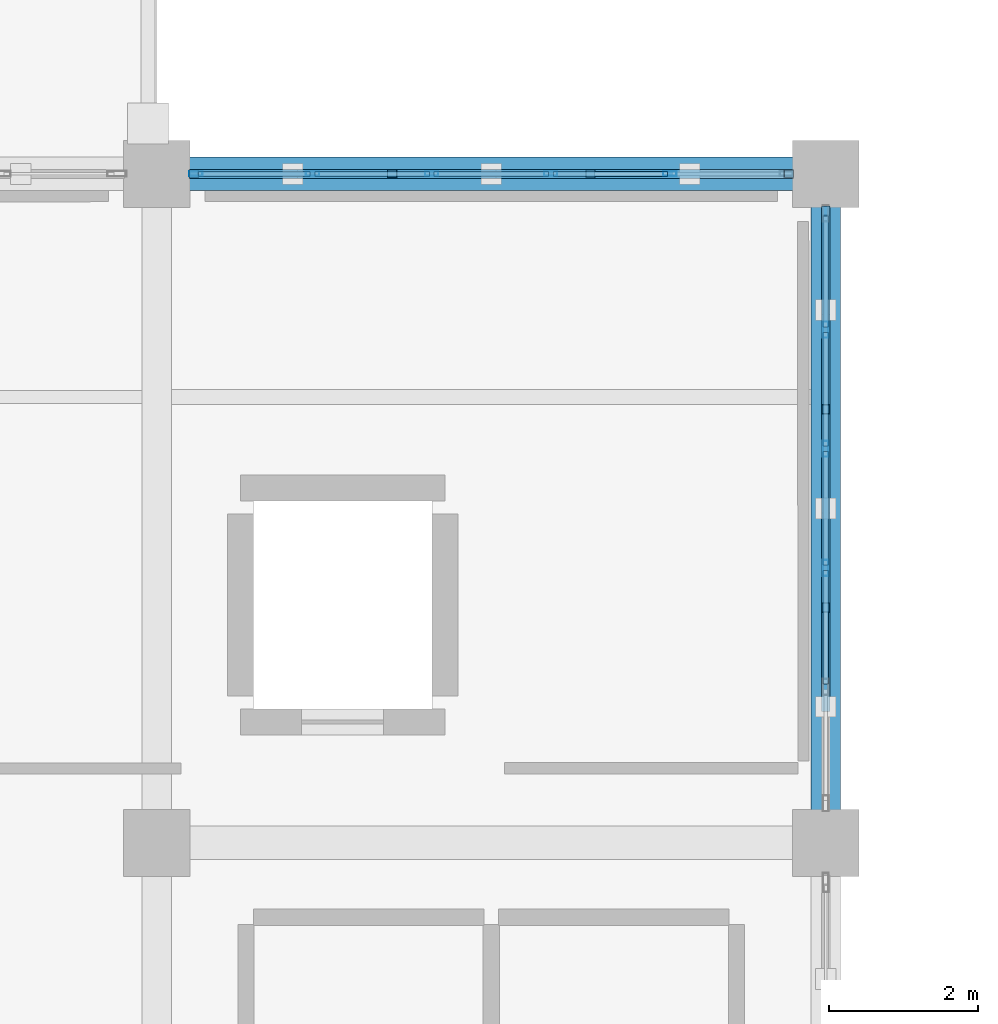
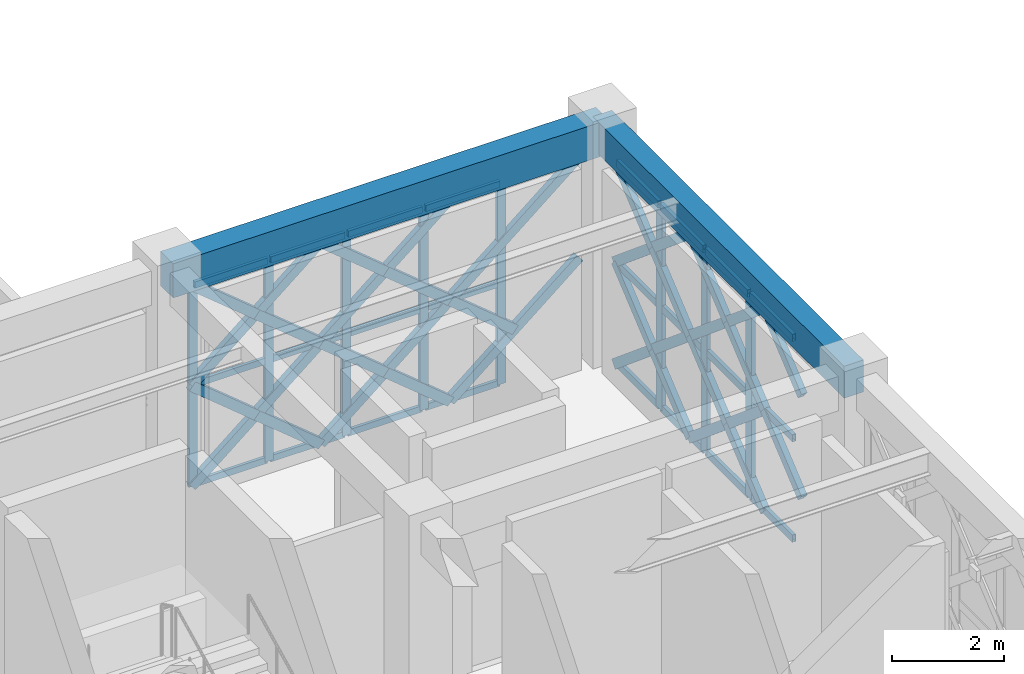
# One storey, part 101 of 155: 61 members, 2 beams, 2 elements without a shape of their own.
"""IFC4 building model written with IfcOpenShell, lengths in metres."""

from ifc_helpers import new_model, si_unit, direction, frame, origin, origin_2d, place, context, subcontext, project, spatial, rectangle, hollow_rectangle, extrude, material, material_profile, profile_set, type_object, element, aggregate, save


model = new_model("IFC4")

# Units and contexts
model_context = context("Model", 3, precision=1e-05, world=origin(), true_north=direction((0.0, 1.0)))
body_context = subcontext(model_context, "Body", "Model", "MODEL_VIEW")
ifc_project = project(units=[si_unit("LENGTHUNIT", "METRE"), si_unit("AREAUNIT", "SQUARE_METRE"), si_unit("VOLUMEUNIT", "CUBIC_METRE"), si_unit("PLANEANGLEUNIT", "RADIAN"), si_unit("MASSUNIT", "GRAM", prefix="KILO")], contexts=[model_context])

# Site, building, storey
site_placement = place(None, origin())
site = spatial("IfcSite", under=ifc_project, at=site_placement, CompositionType="ELEMENT")
building_placement = place(site_placement, origin())
building = spatial("IfcBuilding", under=site, at=building_placement, Name="Haizhuo Lancet Aquarium", CompositionType="ELEMENT")
storey_placement = place(building_placement, frame((0.0, 0.0, 10.800048828125)))
storey = spatial("IfcBuildingStorey", under=building, at=storey_placement, Name="L02", CompositionType="ELEMENT", Elevation=10.800048828125)

# Beams
ifc_material_1 = material(Name="Concrete C40/50", Category="concrete")
ifc_material_profile_1 = material_profile(ifc_material_1, rectangle(XDim=0.39990234375, YDim=0.699951171875, at=origin_2d()), Name="RC-BM 400x700")
ifc_profile_set_1 = profile_set([ifc_material_profile_1], Name="Concrete C40/50")
beam_type_1 = type_object("IfcBeamType", Name="BM-RC-400x700", PredefinedType="BEAM", material=ifc_profile_set_1)
beam_1_placement = place(storey_placement, frame((72.0, -18.0, 4.81005859375), z_axis=(0.0, 1.0, 0.0), x_axis=(-1.0, 0.0, 0.0)))
element("IfcBeam", 1, at=beam_1_placement, inside=storey, type_object=beam_type_1, Name="L02 V3 primary girder BM-L02-V3-028", PredefinedType="BEAM", context=body_context, shape_type="SweptSolid", body=[
    extrude(rectangle(XDim=0.39990234375, YDim=0.699951171875, at=origin_2d()), origin(), (0.0, 0.0, 1.0), 9.0),
])
ifc_material_profile_2 = material_profile(ifc_material_1, rectangle(XDim=0.449951171875, YDim=0.75, at=origin_2d()), Name="RC-BM 450x750")
ifc_profile_set_2 = profile_set([ifc_material_profile_2], Name="Concrete C40/50")
beam_type_2 = type_object("IfcBeamType", Name="BM-RC-450x750", PredefinedType="BEAM", material=ifc_profile_set_2)
beam_2_placement = place(storey_placement, frame((63.0, -9.0, 4.784912109375), z_axis=(1.0, 0.0, 0.0), x_axis=(0.0, 1.0, 0.0)))
element("IfcBeam", 2, at=beam_2_placement, inside=storey, type_object=beam_type_2, Name="L02 V3 primary girder BM-L02-V3-026", PredefinedType="BEAM", context=body_context, shape_type="SweptSolid", body=[
    extrude(rectangle(XDim=0.449951171875, YDim=0.75, at=origin_2d()), origin(), (0.0, 0.0, 1.0), 9.0),
])

# Curtain wall, members
ifc_material_2 = material(Name="Aluminium 6063-T6", Category="aluminium")
curtain_wall_type_1 = type_object("IfcCurtainWallType", Name="CWO-8010x4410", PredefinedType="NOTDEFINED", material=ifc_material_2)
curtain_wall_1_placement = place(storey_placement, origin())
curtain_wall_1 = element("IfcCurtainWall", 3, at=curtain_wall_1_placement, inside=storey, type_object=curtain_wall_type_1, Name="L02 curtain wall CW-V3-L02-055", PredefinedType="NOTDEFINED")
ifc_material_profile_3 = material_profile(ifc_material_2, hollow_rectangle(XDim=0.06494140625, YDim=0.179931640625, WallThickness=0.00390625, at=origin_2d()), Name="ALU-M 65x180x4")
ifc_profile_set_3 = profile_set([ifc_material_profile_3], Name="Aluminium 6063-T6")
member_type_1 = type_object("IfcMemberType", Name="CW-MUL-1", PredefinedType="MULLION", material=ifc_profile_set_3)
member_1_placement = place(storey_placement, frame((63.527099609375, -9.0, 0.0), z_axis=(0.0, 0.0, 1.0), x_axis=(0.0, 1.0, 0.0)))
member_1 = element("IfcMember", 4, at=member_1_placement, type_object=member_type_1, Name="CWO-80x44 mullion 1", PredefinedType="MULLION", context=body_context, shape_type="SweptSolid", body=[
    extrude(hollow_rectangle(XDim=0.06494140625, YDim=0.179931640625, WallThickness=0.00390625, at=origin_2d()), origin(), (0.0, 0.0, 1.0), 4.409912109375),
])
member_2_placement = place(storey_placement, frame((65.096923828125, -9.0, 0.0), z_axis=(0.0, 0.0, 1.0), x_axis=(0.0, 1.0, 0.0)))
member_2 = element("IfcMember", 5, at=member_2_placement, type_object=member_type_1, Name="CWO-80x44 mullion 2", PredefinedType="MULLION", context=body_context, shape_type="SweptSolid", body=[
    extrude(hollow_rectangle(XDim=0.06494140625, YDim=0.179931640625, WallThickness=0.00390625, at=origin_2d()), origin(), (0.0, 0.0, 1.0), 4.409912109375),
])
member_3_placement = place(storey_placement, frame((66.698974609375, -9.0, 0.0), z_axis=(0.0, 0.0, 1.0), x_axis=(0.0, 1.0, 0.0)))
member_3 = element("IfcMember", 6, at=member_3_placement, type_object=member_type_1, Name="CWO-80x44 mullion 3", PredefinedType="MULLION", context=body_context, shape_type="SweptSolid", body=[
    extrude(hollow_rectangle(XDim=0.06494140625, YDim=0.179931640625, WallThickness=0.00390625, at=origin_2d()), origin(), (0.0, 0.0, 1.0), 4.409912109375),
])
member_4_placement = place(storey_placement, frame((68.301025390625, -9.0, 0.0), z_axis=(0.0, 0.0, 1.0), x_axis=(0.0, 1.0, 0.0)))
member_4 = element("IfcMember", 7, at=member_4_placement, type_object=member_type_1, Name="CWO-80x44 mullion 4", PredefinedType="MULLION", context=body_context, shape_type="SweptSolid", body=[
    extrude(hollow_rectangle(XDim=0.06494140625, YDim=0.179931640625, WallThickness=0.00390625, at=origin_2d()), origin(), (0.0, 0.0, 1.0), 4.409912109375),
])
member_5_placement = place(storey_placement, frame((69.903076171875, -9.0, 0.0), z_axis=(0.0, 0.0, 1.0), x_axis=(0.0, 1.0, 0.0)))
member_5 = element("IfcMember", 8, at=member_5_placement, type_object=member_type_1, Name="CWO-80x44 mullion 5", PredefinedType="MULLION", context=body_context, shape_type="SweptSolid", body=[
    extrude(hollow_rectangle(XDim=0.06494140625, YDim=0.179931640625, WallThickness=0.00390625, at=origin_2d()), origin(), (0.0, 0.0, 1.0), 4.409912109375),
])

curtain_wall_type_2 = type_object("IfcCurtainWallType", Name="CWO-8010x4460", PredefinedType="NOTDEFINED", material=ifc_material_2)
curtain_wall_2_placement = place(storey_placement, origin())
curtain_wall_2 = element("IfcCurtainWall", 9, at=curtain_wall_2_placement, inside=storey, type_object=curtain_wall_type_2, Name="L02 curtain wall CW-V3-L02-056", PredefinedType="NOTDEFINED")
ifc_material_profile_4 = material_profile(ifc_material_2, hollow_rectangle(XDim=0.074951171875, YDim=0.219970703125, WallThickness=0.0048828125, at=origin_2d()), Name="ALU-M 75x220x5")
ifc_profile_set_4 = profile_set([ifc_material_profile_4], Name="Aluminium 6063-T6")
member_type_2 = type_object("IfcMemberType", Name="CW-MUL-2", PredefinedType="MULLION", material=ifc_profile_set_4)
member_6_placement = place(storey_placement, frame((72.0, -11.096923828125, 0.0), z_axis=(0.0, 0.0, 1.0), x_axis=(1.0, 0.0, 0.0)))
member_6 = element("IfcMember", 10, at=member_6_placement, type_object=member_type_2, Name="CWO-80x44 mullion 2", PredefinedType="MULLION", context=body_context, shape_type="SweptSolid", body=[
    extrude(hollow_rectangle(XDim=0.074951171875, YDim=0.219970703125, WallThickness=0.0048828125, at=origin_2d()), origin(), (0.0, 0.0, 1.0), 4.4599609375),
])
member_7_placement = place(storey_placement, frame((72.0, -12.698974609375, 0.0), z_axis=(0.0, 0.0, 1.0), x_axis=(1.0, 0.0, 0.0)))
member_7 = element("IfcMember", 11, at=member_7_placement, type_object=member_type_2, Name="CWO-80x44 mullion 3", PredefinedType="MULLION", context=body_context, shape_type="SweptSolid", body=[
    extrude(hollow_rectangle(XDim=0.074951171875, YDim=0.219970703125, WallThickness=0.0048828125, at=origin_2d()), origin(), (0.0, 0.0, 1.0), 4.4599609375),
])
member_8_placement = place(storey_placement, frame((72.0, -14.301025390625, 0.0), z_axis=(0.0, 0.0, 1.0), x_axis=(1.0, 0.0, 0.0)))
member_8 = element("IfcMember", 12, at=member_8_placement, type_object=member_type_2, Name="CWO-80x44 mullion 4", PredefinedType="MULLION", context=body_context, shape_type="SweptSolid", body=[
    extrude(hollow_rectangle(XDim=0.074951171875, YDim=0.219970703125, WallThickness=0.0048828125, at=origin_2d()), origin(), (0.0, 0.0, 1.0), 4.4599609375),
])

# Member
ifc_material_profile_5 = material_profile(ifc_material_2, hollow_rectangle(XDim=0.06494140625, YDim=0.139892578125, WallThickness=0.00390625, at=origin_2d()), Name="ALU-T 65x140x4")
ifc_profile_set_5 = profile_set([ifc_material_profile_5], Name="Aluminium 6063-T6")
member_type_3 = type_object("IfcMemberType", Name="CW-TRN-1", PredefinedType="NOTDEFINED", material=ifc_profile_set_5)
member_9_placement = place(storey_placement, frame((63.56005859375, -9.0, 0.032958984375), z_axis=(1.0, 0.0, 0.0), x_axis=(0.0, 1.0, 0.0)))
member_9 = element("IfcMember", 13, at=member_9_placement, type_object=member_type_3, Name="CWO-80x44 transom 1.1", ObjectType="TRANSOM", PredefinedType="USERDEFINED", context=body_context, shape_type="SweptSolid", body=[
    extrude(hollow_rectangle(XDim=0.06494140625, YDim=0.139892578125, WallThickness=0.00390625, at=origin_2d()), origin(), (0.0, 0.0, 1.0), 1.50390625),
])

member_10_placement = place(storey_placement, frame((63.56005859375, -9.0, 2.204833984375), z_axis=(1.0, 0.0, 0.0), x_axis=(0.0, 1.0, 0.0)))
member_10 = element("IfcMember", 14, at=member_10_placement, type_object=member_type_3, Name="CWO-80x44 transom 1.2", ObjectType="TRANSOM", PredefinedType="USERDEFINED", context=body_context, shape_type="SweptSolid", body=[
    extrude(hollow_rectangle(XDim=0.06494140625, YDim=0.139892578125, WallThickness=0.00390625, at=origin_2d()), origin(), (0.0, 0.0, 1.0), 1.50390625),
])

member_11_placement = place(storey_placement, frame((63.56005859375, -9.0, 4.3779296875), z_axis=(1.0, 0.0, 0.0), x_axis=(0.0, 1.0, 0.0)))
member_11 = element("IfcMember", 15, at=member_11_placement, type_object=member_type_3, Name="CWO-80x44 transom 1.3", ObjectType="TRANSOM", PredefinedType="USERDEFINED", context=body_context, shape_type="SweptSolid", body=[
    extrude(hollow_rectangle(XDim=0.06494140625, YDim=0.139892578125, WallThickness=0.00390625, at=origin_2d()), origin(), (0.0, 0.0, 1.0), 1.50390625),
])

member_12_placement = place(storey_placement, frame((65.12890625, -9.0, 0.032958984375), z_axis=(1.0, 0.0, 0.0), x_axis=(0.0, 1.0, 0.0)))
member_12 = element("IfcMember", 16, at=member_12_placement, type_object=member_type_3, Name="CWO-80x44 transom 2.1", ObjectType="TRANSOM", PredefinedType="USERDEFINED", context=body_context, shape_type="SweptSolid", body=[
    extrude(hollow_rectangle(XDim=0.06494140625, YDim=0.139892578125, WallThickness=0.00390625, at=origin_2d()), origin(), (0.0, 0.0, 1.0), 1.537109375),
])

member_13_placement = place(storey_placement, frame((65.12890625, -9.0, 2.204833984375), z_axis=(1.0, 0.0, 0.0), x_axis=(0.0, 1.0, 0.0)))
member_13 = element("IfcMember", 17, at=member_13_placement, type_object=member_type_3, Name="CWO-80x44 transom 2.2", ObjectType="TRANSOM", PredefinedType="USERDEFINED", context=body_context, shape_type="SweptSolid", body=[
    extrude(hollow_rectangle(XDim=0.06494140625, YDim=0.139892578125, WallThickness=0.00390625, at=origin_2d()), origin(), (0.0, 0.0, 1.0), 1.537109375),
])

member_14_placement = place(storey_placement, frame((65.12890625, -9.0, 4.3779296875), z_axis=(1.0, 0.0, 0.0), x_axis=(0.0, 1.0, 0.0)))
member_14 = element("IfcMember", 18, at=member_14_placement, type_object=member_type_3, Name="CWO-80x44 transom 2.3", ObjectType="TRANSOM", PredefinedType="USERDEFINED", context=body_context, shape_type="SweptSolid", body=[
    extrude(hollow_rectangle(XDim=0.06494140625, YDim=0.139892578125, WallThickness=0.00390625, at=origin_2d()), origin(), (0.0, 0.0, 1.0), 1.537109375),
])

member_15_placement = place(storey_placement, frame((66.73095703125, -9.0, 0.032958984375), z_axis=(1.0, 0.0, 0.0), x_axis=(0.0, 1.0, 0.0)))
member_15 = element("IfcMember", 19, at=member_15_placement, type_object=member_type_3, Name="CWO-80x44 transom 3.1", ObjectType="TRANSOM", PredefinedType="USERDEFINED", context=body_context, shape_type="SweptSolid", body=[
    extrude(hollow_rectangle(XDim=0.06494140625, YDim=0.139892578125, WallThickness=0.00390625, at=origin_2d()), origin(), (0.0, 0.0, 1.0), 1.5380859375),
])

member_16_placement = place(storey_placement, frame((66.73095703125, -9.0, 2.204833984375), z_axis=(1.0, 0.0, 0.0), x_axis=(0.0, 1.0, 0.0)))
member_16 = element("IfcMember", 20, at=member_16_placement, type_object=member_type_3, Name="CWO-80x44 transom 3.2", ObjectType="TRANSOM", PredefinedType="USERDEFINED", context=body_context, shape_type="SweptSolid", body=[
    extrude(hollow_rectangle(XDim=0.06494140625, YDim=0.139892578125, WallThickness=0.00390625, at=origin_2d()), origin(), (0.0, 0.0, 1.0), 1.5380859375),
])

member_17_placement = place(storey_placement, frame((66.73095703125, -9.0, 4.3779296875), z_axis=(1.0, 0.0, 0.0), x_axis=(0.0, 1.0, 0.0)))
member_17 = element("IfcMember", 21, at=member_17_placement, type_object=member_type_3, Name="CWO-80x44 transom 3.3", ObjectType="TRANSOM", PredefinedType="USERDEFINED", context=body_context, shape_type="SweptSolid", body=[
    extrude(hollow_rectangle(XDim=0.06494140625, YDim=0.139892578125, WallThickness=0.00390625, at=origin_2d()), origin(), (0.0, 0.0, 1.0), 1.5380859375),
])

member_18_placement = place(storey_placement, frame((68.333984375, -9.0, 0.032958984375), z_axis=(1.0, 0.0, 0.0), x_axis=(0.0, 1.0, 0.0)))
member_18 = element("IfcMember", 22, at=member_18_placement, type_object=member_type_3, Name="CWO-80x44 transom 4.1", ObjectType="TRANSOM", PredefinedType="USERDEFINED", context=body_context, shape_type="SweptSolid", body=[
    extrude(hollow_rectangle(XDim=0.06494140625, YDim=0.139892578125, WallThickness=0.00390625, at=origin_2d()), origin(), (0.0, 0.0, 1.0), 1.5361328125),
])

member_19_placement = place(storey_placement, frame((68.333984375, -9.0, 2.204833984375), z_axis=(1.0, 0.0, 0.0), x_axis=(0.0, 1.0, 0.0)))
member_19 = element("IfcMember", 23, at=member_19_placement, type_object=member_type_3, Name="CWO-80x44 transom 4.2", ObjectType="TRANSOM", PredefinedType="USERDEFINED", context=body_context, shape_type="SweptSolid", body=[
    extrude(hollow_rectangle(XDim=0.06494140625, YDim=0.139892578125, WallThickness=0.00390625, at=origin_2d()), origin(), (0.0, 0.0, 1.0), 1.5361328125),
])

member_20_placement = place(storey_placement, frame((68.333984375, -9.0, 4.3779296875), z_axis=(1.0, 0.0, 0.0), x_axis=(0.0, 1.0, 0.0)))
member_20 = element("IfcMember", 24, at=member_20_placement, type_object=member_type_3, Name="CWO-80x44 transom 4.3", ObjectType="TRANSOM", PredefinedType="USERDEFINED", context=body_context, shape_type="SweptSolid", body=[
    extrude(hollow_rectangle(XDim=0.06494140625, YDim=0.139892578125, WallThickness=0.00390625, at=origin_2d()), origin(), (0.0, 0.0, 1.0), 1.5361328125),
])

aggregate(curtain_wall_1, [member_1, member_2, member_3, member_4, member_5, member_9, member_10, member_11, member_12, member_13, member_14, member_15, member_16, member_17, member_18, member_19, member_20])

ifc_material_profile_6 = material_profile(ifc_material_2, hollow_rectangle(XDim=0.074951171875, YDim=0.159912109375, WallThickness=0.00390625, at=origin_2d()), Name="ALU-T 75x160x4")
ifc_profile_set_6 = profile_set([ifc_material_profile_6], Name="Aluminium 6063-T6")
member_type_4 = type_object("IfcMemberType", Name="CW-TRN-2", PredefinedType="NOTDEFINED", material=ifc_profile_set_6)
member_21_placement = place(storey_placement, frame((72.0, -9.570068359375, 0.037841796875), z_axis=(0.0, -1.0, 0.0), x_axis=(1.0, 0.0, 0.0)))
member_21 = element("IfcMember", 25, at=member_21_placement, type_object=member_type_4, Name="CWO-80x44 transom 1.1", ObjectType="TRANSOM", PredefinedType="USERDEFINED", context=body_context, shape_type="SweptSolid", body=[
    extrude(hollow_rectangle(XDim=0.074951171875, YDim=0.159912109375, WallThickness=0.00390625, at=origin_2d()), origin(), (0.0, 0.0, 1.0), 1.489013671875),
])

member_22_placement = place(storey_placement, frame((72.0, -9.570068359375, 2.22998046875), z_axis=(0.0, -1.0, 0.0), x_axis=(1.0, 0.0, 0.0)))
member_22 = element("IfcMember", 26, at=member_22_placement, type_object=member_type_4, Name="CWO-80x44 transom 1.2", ObjectType="TRANSOM", PredefinedType="USERDEFINED", context=body_context, shape_type="SweptSolid", body=[
    extrude(hollow_rectangle(XDim=0.074951171875, YDim=0.159912109375, WallThickness=0.00390625, at=origin_2d()), origin(), (0.0, 0.0, 1.0), 1.489013671875),
])

member_23_placement = place(storey_placement, frame((72.0, -9.570068359375, 4.4228515625), z_axis=(0.0, -1.0, 0.0), x_axis=(1.0, 0.0, 0.0)))
member_23 = element("IfcMember", 27, at=member_23_placement, type_object=member_type_4, Name="CWO-80x44 transom 1.3", ObjectType="TRANSOM", PredefinedType="USERDEFINED", context=body_context, shape_type="SweptSolid", body=[
    extrude(hollow_rectangle(XDim=0.074951171875, YDim=0.159912109375, WallThickness=0.00390625, at=origin_2d()), origin(), (0.0, 0.0, 1.0), 1.489013671875),
])

member_24_placement = place(storey_placement, frame((72.0, -11.134033203125, 0.037841796875), z_axis=(0.0, -1.0, 0.0), x_axis=(1.0, 0.0, 0.0)))
member_24 = element("IfcMember", 28, at=member_24_placement, type_object=member_type_4, Name="CWO-80x44 transom 2.1", ObjectType="TRANSOM", PredefinedType="USERDEFINED", context=body_context, shape_type="SweptSolid", body=[
    extrude(hollow_rectangle(XDim=0.074951171875, YDim=0.159912109375, WallThickness=0.00390625, at=origin_2d()), origin(), (0.0, 0.0, 1.0), 1.52685546875),
])

member_25_placement = place(storey_placement, frame((72.0, -11.134033203125, 2.22998046875), z_axis=(0.0, -1.0, 0.0), x_axis=(1.0, 0.0, 0.0)))
member_25 = element("IfcMember", 29, at=member_25_placement, type_object=member_type_4, Name="CWO-80x44 transom 2.2", ObjectType="TRANSOM", PredefinedType="USERDEFINED", context=body_context, shape_type="SweptSolid", body=[
    extrude(hollow_rectangle(XDim=0.074951171875, YDim=0.159912109375, WallThickness=0.00390625, at=origin_2d()), origin(), (0.0, 0.0, 1.0), 1.52685546875),
])

member_26_placement = place(storey_placement, frame((72.0, -11.134033203125, 4.4228515625), z_axis=(0.0, -1.0, 0.0), x_axis=(1.0, 0.0, 0.0)))
member_26 = element("IfcMember", 30, at=member_26_placement, type_object=member_type_4, Name="CWO-80x44 transom 2.3", ObjectType="TRANSOM", PredefinedType="USERDEFINED", context=body_context, shape_type="SweptSolid", body=[
    extrude(hollow_rectangle(XDim=0.074951171875, YDim=0.159912109375, WallThickness=0.00390625, at=origin_2d()), origin(), (0.0, 0.0, 1.0), 1.52685546875),
])

member_27_placement = place(storey_placement, frame((72.0, -12.736083984375, 0.037841796875), z_axis=(0.0, -1.0, 0.0), x_axis=(1.0, 0.0, 0.0)))
member_27 = element("IfcMember", 31, at=member_27_placement, type_object=member_type_4, Name="CWO-80x44 transom 3.1", ObjectType="TRANSOM", PredefinedType="USERDEFINED", context=body_context, shape_type="SweptSolid", body=[
    extrude(hollow_rectangle(XDim=0.074951171875, YDim=0.159912109375, WallThickness=0.00390625, at=origin_2d()), origin(), (0.0, 0.0, 1.0), 1.52685546875),
])

member_28_placement = place(storey_placement, frame((72.0, -12.736083984375, 2.22998046875), z_axis=(0.0, -1.0, 0.0), x_axis=(1.0, 0.0, 0.0)))
member_28 = element("IfcMember", 32, at=member_28_placement, type_object=member_type_4, Name="CWO-80x44 transom 3.2", ObjectType="TRANSOM", PredefinedType="USERDEFINED", context=body_context, shape_type="SweptSolid", body=[
    extrude(hollow_rectangle(XDim=0.074951171875, YDim=0.159912109375, WallThickness=0.00390625, at=origin_2d()), origin(), (0.0, 0.0, 1.0), 1.52685546875),
])

member_29_placement = place(storey_placement, frame((72.0, -12.736083984375, 4.4228515625), z_axis=(0.0, -1.0, 0.0), x_axis=(1.0, 0.0, 0.0)))
member_29 = element("IfcMember", 33, at=member_29_placement, type_object=member_type_4, Name="CWO-80x44 transom 3.3", ObjectType="TRANSOM", PredefinedType="USERDEFINED", context=body_context, shape_type="SweptSolid", body=[
    extrude(hollow_rectangle(XDim=0.074951171875, YDim=0.159912109375, WallThickness=0.00390625, at=origin_2d()), origin(), (0.0, 0.0, 1.0), 1.52685546875),
])

member_30_placement = place(storey_placement, frame((72.0, -14.337890625, 0.037841796875), z_axis=(0.0, -1.0, 0.0), x_axis=(1.0, 0.0, 0.0)))
member_30 = element("IfcMember", 34, at=member_30_placement, type_object=member_type_4, Name="CWO-80x44 transom 4.1", ObjectType="TRANSOM", PredefinedType="USERDEFINED", context=body_context, shape_type="SweptSolid", body=[
    extrude(hollow_rectangle(XDim=0.074951171875, YDim=0.159912109375, WallThickness=0.00390625, at=origin_2d()), origin(), (0.0, 0.0, 1.0), 1.527099609375),
])

member_31_placement = place(storey_placement, frame((72.0, -14.337890625, 2.22998046875), z_axis=(0.0, -1.0, 0.0), x_axis=(1.0, 0.0, 0.0)))
member_31 = element("IfcMember", 35, at=member_31_placement, type_object=member_type_4, Name="CWO-80x44 transom 4.2", ObjectType="TRANSOM", PredefinedType="USERDEFINED", context=body_context, shape_type="SweptSolid", body=[
    extrude(hollow_rectangle(XDim=0.074951171875, YDim=0.159912109375, WallThickness=0.00390625, at=origin_2d()), origin(), (0.0, 0.0, 1.0), 1.527099609375),
])

member_32_placement = place(storey_placement, frame((72.0, -14.337890625, 4.4228515625), z_axis=(0.0, -1.0, 0.0), x_axis=(1.0, 0.0, 0.0)))
member_32 = element("IfcMember", 36, at=member_32_placement, type_object=member_type_4, Name="CWO-80x44 transom 4.3", ObjectType="TRANSOM", PredefinedType="USERDEFINED", context=body_context, shape_type="SweptSolid", body=[
    extrude(hollow_rectangle(XDim=0.074951171875, YDim=0.159912109375, WallThickness=0.00390625, at=origin_2d()), origin(), (0.0, 0.0, 1.0), 1.527099609375),
])

aggregate(curtain_wall_2, [member_6, member_7, member_8, member_21, member_22, member_23, member_24, member_25, member_26, member_27, member_28, member_29, member_30, member_31, member_32])

# Members
ifc_material_3 = material(Name="Steel S355", Category="steel")
ifc_material_profile_7 = material_profile(ifc_material_3, hollow_rectangle(XDim=0.1201171875, YDim=0.199951171875, WallThickness=0.008056640625, at=origin_2d()), Name="RHS 120x200x8")
ifc_profile_set_7 = profile_set([ifc_material_profile_7], Name="Steel S355")
member_type_5 = type_object("IfcMemberType", Name="MEM-LB-RHS120x200", PredefinedType="BRACE", material=ifc_profile_set_7)
member_33_placement = place(storey_placement, frame((63.4951171875, -9.0, 0.0), z_axis=(0.771068610934, 0.0, 0.636752068887), x_axis=(0.0, 1.0, 0.0)))
element("IfcMember", 37, at=member_33_placement, inside=storey, type_object=member_type_5, Name="Gothic lancet continuous diagonal brace CW-V3-L02-055 1A", PredefinedType="BRACE", context=body_context, shape_type="SweptSolid", body=[
    extrude(hollow_rectangle(XDim=0.1201171875, YDim=0.199951171875, WallThickness=0.008056640625, at=origin_2d()), origin(), (0.0, 0.0, 1.0), 3.462646484375),
])
member_34_placement = place(storey_placement, frame((66.1650390625, -9.0, 0.0), z_axis=(-0.771172467693, 0.0, 0.63662628368), x_axis=(0.0, -1.0, 0.0)))
element("IfcMember", 38, at=member_34_placement, inside=storey, type_object=member_type_5, Name="Gothic lancet split diagonal brace CW-V3-L02-055 1B1", PredefinedType="BRACE", context=body_context, shape_type="SweptSolid", body=[
    extrude(hollow_rectangle(XDim=0.1201171875, YDim=0.199951171875, WallThickness=0.008056640625, at=origin_2d()), origin(), (0.0, 0.0, 1.0), 1.731201171875),
])
member_35_placement = place(storey_placement, frame((64.830078125, -9.0, 1.10205078125), z_axis=(-0.77096476164, 0.0, 0.636877803279), x_axis=(0.0, -1.0, 0.0)))
element("IfcMember", 39, at=member_35_placement, inside=storey, type_object=member_type_5, Name="Gothic lancet split diagonal brace CW-V3-L02-055 1B2", PredefinedType="BRACE", context=body_context, shape_type="SweptSolid", body=[
    extrude(hollow_rectangle(XDim=0.1201171875, YDim=0.199951171875, WallThickness=0.008056640625, at=origin_2d()), origin(), (0.0, 0.0, 1.0), 1.7314453125),
])
member_36_placement = place(storey_placement, frame((63.4951171875, -9.0, 2.204833984375), z_axis=(0.771033993673, 0.0, 0.636793985996), x_axis=(0.0, 1.0, 0.0)))
element("IfcMember", 40, at=member_36_placement, inside=storey, type_object=member_type_5, Name="Gothic lancet continuous diagonal brace CW-V3-L02-055 2A", PredefinedType="BRACE", context=body_context, shape_type="SweptSolid", body=[
    extrude(hollow_rectangle(XDim=0.1201171875, YDim=0.199951171875, WallThickness=0.008056640625, at=origin_2d()), origin(), (0.0, 0.0, 1.0), 3.462890625),
])
member_37_placement = place(storey_placement, frame((66.1650390625, -9.0, 2.204833984375), z_axis=(-0.770895532931, 0.0, 0.636961597985), x_axis=(0.0, -1.0, 0.0)))
element("IfcMember", 41, at=member_37_placement, inside=storey, type_object=member_type_5, Name="Gothic lancet split diagonal brace CW-V3-L02-055 2B1", PredefinedType="BRACE", context=body_context, shape_type="SweptSolid", body=[
    extrude(hollow_rectangle(XDim=0.1201171875, YDim=0.199951171875, WallThickness=0.008056640625, at=origin_2d()), origin(), (0.0, 0.0, 1.0), 1.731689453125),
])
member_38_placement = place(storey_placement, frame((64.830078125, -9.0, 3.307861328125), z_axis=(-0.771172467693, 0.0, 0.63662628368), x_axis=(0.0, -1.0, 0.0)))
element("IfcMember", 42, at=member_38_placement, inside=storey, type_object=member_type_5, Name="Gothic lancet split diagonal brace CW-V3-L02-055 2B2", PredefinedType="BRACE", context=body_context, shape_type="SweptSolid", body=[
    extrude(hollow_rectangle(XDim=0.1201171875, YDim=0.199951171875, WallThickness=0.008056640625, at=origin_2d()), origin(), (0.0, 0.0, 1.0), 1.731201171875),
])
member_39_placement = place(storey_placement, frame((66.1650390625, -9.0, 0.0), z_axis=(0.771068610934, 0.0, 0.636752068887), x_axis=(0.0, 1.0, 0.0)))
element("IfcMember", 43, at=member_39_placement, inside=storey, type_object=member_type_5, Name="Gothic lancet continuous diagonal brace CW-V3-L02-055 3A", PredefinedType="BRACE", context=body_context, shape_type="SweptSolid", body=[
    extrude(hollow_rectangle(XDim=0.1201171875, YDim=0.199951171875, WallThickness=0.008056640625, at=origin_2d()), origin(), (0.0, 0.0, 1.0), 3.462646484375),
])
member_40_placement = place(storey_placement, frame((68.8349609375, -9.0, 0.0), z_axis=(-0.771172467693, 0.0, 0.63662628368), x_axis=(0.0, -1.0, 0.0)))
element("IfcMember", 44, at=member_40_placement, inside=storey, type_object=member_type_5, Name="Gothic lancet split diagonal brace CW-V3-L02-055 3B1", PredefinedType="BRACE", context=body_context, shape_type="SweptSolid", body=[
    extrude(hollow_rectangle(XDim=0.1201171875, YDim=0.199951171875, WallThickness=0.008056640625, at=origin_2d()), origin(), (0.0, 0.0, 1.0), 1.731201171875),
])
member_41_placement = place(storey_placement, frame((67.5, -9.0, 1.10205078125), z_axis=(-0.77096476164, 0.0, 0.636877803279), x_axis=(0.0, -1.0, 0.0)))
element("IfcMember", 45, at=member_41_placement, inside=storey, type_object=member_type_5, Name="Gothic lancet split diagonal brace CW-V3-L02-055 3B2", PredefinedType="BRACE", context=body_context, shape_type="SweptSolid", body=[
    extrude(hollow_rectangle(XDim=0.1201171875, YDim=0.199951171875, WallThickness=0.008056640625, at=origin_2d()), origin(), (0.0, 0.0, 1.0), 1.7314453125),
])
member_42_placement = place(storey_placement, frame((66.1650390625, -9.0, 2.204833984375), z_axis=(0.771033993673, 0.0, 0.636793985996), x_axis=(0.0, 1.0, 0.0)))
element("IfcMember", 46, at=member_42_placement, inside=storey, type_object=member_type_5, Name="Gothic lancet continuous diagonal brace CW-V3-L02-055 4A", PredefinedType="BRACE", context=body_context, shape_type="SweptSolid", body=[
    extrude(hollow_rectangle(XDim=0.1201171875, YDim=0.199951171875, WallThickness=0.008056640625, at=origin_2d()), origin(), (0.0, 0.0, 1.0), 3.462890625),
])
member_43_placement = place(storey_placement, frame((68.8349609375, -9.0, 2.204833984375), z_axis=(-0.770895532931, 0.0, 0.636961597985), x_axis=(0.0, -1.0, 0.0)))
element("IfcMember", 47, at=member_43_placement, inside=storey, type_object=member_type_5, Name="Gothic lancet split diagonal brace CW-V3-L02-055 4B1", PredefinedType="BRACE", context=body_context, shape_type="SweptSolid", body=[
    extrude(hollow_rectangle(XDim=0.1201171875, YDim=0.199951171875, WallThickness=0.008056640625, at=origin_2d()), origin(), (0.0, 0.0, 1.0), 1.731689453125),
])
member_44_placement = place(storey_placement, frame((67.5, -9.0, 3.307861328125), z_axis=(-0.771172467693, 0.0, 0.63662628368), x_axis=(0.0, -1.0, 0.0)))
element("IfcMember", 48, at=member_44_placement, inside=storey, type_object=member_type_5, Name="Gothic lancet split diagonal brace CW-V3-L02-055 4B2", PredefinedType="BRACE", context=body_context, shape_type="SweptSolid", body=[
    extrude(hollow_rectangle(XDim=0.1201171875, YDim=0.199951171875, WallThickness=0.008056640625, at=origin_2d()), origin(), (0.0, 0.0, 1.0), 1.731201171875),
])
member_45_placement = place(storey_placement, frame((68.8349609375, -9.0, 0.0), z_axis=(0.771068610934, 0.0, 0.636752068887), x_axis=(0.0, 1.0, 0.0)))
element("IfcMember", 49, at=member_45_placement, inside=storey, type_object=member_type_5, Name="Gothic lancet continuous diagonal brace CW-V3-L02-055 5A", PredefinedType="BRACE", context=body_context, shape_type="SweptSolid", body=[
    extrude(hollow_rectangle(XDim=0.1201171875, YDim=0.199951171875, WallThickness=0.008056640625, at=origin_2d()), origin(), (0.0, 0.0, 1.0), 3.462646484375),
])
member_46_placement = place(storey_placement, frame((70.169921875, -9.0, 1.10205078125), z_axis=(-0.77096476164, 0.0, 0.636877803279), x_axis=(0.0, -1.0, 0.0)))
element("IfcMember", 50, at=member_46_placement, inside=storey, type_object=member_type_5, Name="Gothic lancet split diagonal brace CW-V3-L02-055 5B2", PredefinedType="BRACE", context=body_context, shape_type="SweptSolid", body=[
    extrude(hollow_rectangle(XDim=0.1201171875, YDim=0.199951171875, WallThickness=0.008056640625, at=origin_2d()), origin(), (0.0, 0.0, 1.0), 1.7314453125),
])
member_47_placement = place(storey_placement, frame((68.8349609375, -9.0, 2.204833984375), z_axis=(0.771033993673, 0.0, 0.636793985996), x_axis=(0.0, 1.0, 0.0)))
element("IfcMember", 51, at=member_47_placement, inside=storey, type_object=member_type_5, Name="Gothic lancet continuous diagonal brace CW-V3-L02-055 6A", PredefinedType="BRACE", context=body_context, shape_type="SweptSolid", body=[
    extrude(hollow_rectangle(XDim=0.1201171875, YDim=0.199951171875, WallThickness=0.008056640625, at=origin_2d()), origin(), (0.0, 0.0, 1.0), 3.462890625),
])
member_48_placement = place(storey_placement, frame((72.0, -9.4951171875, 0.0), z_axis=(0.0, -0.767507480131, 0.641039989348), x_axis=(1.0, 0.0, 0.0)))
element("IfcMember", 52, at=member_48_placement, inside=storey, type_object=member_type_5, Name="Gothic lancet continuous diagonal brace CW-V3-L02-056 1A", PredefinedType="BRACE", context=body_context, shape_type="SweptSolid", body=[
    extrude(hollow_rectangle(XDim=0.1201171875, YDim=0.199951171875, WallThickness=0.008056640625, at=origin_2d()), origin(), (0.0, 0.0, 1.0), 3.478759765625),
])
for number, where, z_axis, x_axis, name in (
    (53, (72.0, -12.1650390625, 0.0), (0.0, 0.767507480131, 0.641039989348), (-1.0, 0.0, 0.0), "Gothic lancet split diagonal brace CW-V3-L02-056 1B1"),
    (54, (72.0, -10.830078125, 1.114990234375), (0.0, 0.767507480131, 0.641039989348), (-1.0, 0.0, 0.0), "Gothic lancet split diagonal brace CW-V3-L02-056 1B2"),
):
    element("IfcMember", number, at=place(storey_placement, frame(where, z_axis=z_axis, x_axis=x_axis)), inside=storey, type_object=member_type_5, Name=name, PredefinedType="BRACE", context=body_context, shape_type="SweptSolid", body=[
        extrude(hollow_rectangle(XDim=0.1201171875, YDim=0.199951171875, WallThickness=0.008056640625, at=origin_2d()), origin(), (0.0, 0.0, 1.0), 1.7392578125),
    ])
member_49_placement = place(storey_placement, frame((72.0, -9.4951171875, 2.22998046875), z_axis=(0.0, -0.767507480131, 0.641039989348), x_axis=(1.0, 0.0, 0.0)))
element("IfcMember", 55, at=member_49_placement, inside=storey, type_object=member_type_5, Name="Gothic lancet continuous diagonal brace CW-V3-L02-056 2A", PredefinedType="BRACE", context=body_context, shape_type="SweptSolid", body=[
    extrude(hollow_rectangle(XDim=0.1201171875, YDim=0.199951171875, WallThickness=0.008056640625, at=origin_2d()), origin(), (0.0, 0.0, 1.0), 3.478759765625),
])
for number, where, z_axis, x_axis, name in (
    (56, (72.0, -12.1650390625, 2.22998046875), (0.0, 0.767507480131, 0.641039989348), (-1.0, 0.0, 0.0), "Gothic lancet split diagonal brace CW-V3-L02-056 2B1"),
    (57, (72.0, -10.830078125, 3.344970703125), (0.0, 0.767507480131, 0.641039989348), (-1.0, 0.0, 0.0), "Gothic lancet split diagonal brace CW-V3-L02-056 2B2"),
):
    element("IfcMember", number, at=place(storey_placement, frame(where, z_axis=z_axis, x_axis=x_axis)), inside=storey, type_object=member_type_5, Name=name, PredefinedType="BRACE", context=body_context, shape_type="SweptSolid", body=[
        extrude(hollow_rectangle(XDim=0.1201171875, YDim=0.199951171875, WallThickness=0.008056640625, at=origin_2d()), origin(), (0.0, 0.0, 1.0), 1.7392578125),
    ])
member_50_placement = place(storey_placement, frame((72.0, -12.1650390625, 0.0), z_axis=(0.0, -0.767507480131, 0.641039989348), x_axis=(1.0, 0.0, 0.0)))
element("IfcMember", 58, at=member_50_placement, inside=storey, type_object=member_type_5, Name="Gothic lancet continuous diagonal brace CW-V3-L02-056 3A", PredefinedType="BRACE", context=body_context, shape_type="SweptSolid", body=[
    extrude(hollow_rectangle(XDim=0.1201171875, YDim=0.199951171875, WallThickness=0.008056640625, at=origin_2d()), origin(), (0.0, 0.0, 1.0), 3.478759765625),
])
for number, where, z_axis, x_axis, name in (
    (59, (72.0, -14.8349609375, 0.0), (0.0, 0.767507480131, 0.641039989348), (-1.0, 0.0, 0.0), "Gothic lancet split diagonal brace CW-V3-L02-056 3B1"),
    (60, (72.0, -13.5, 1.114990234375), (0.0, 0.767507480131, 0.641039989348), (-1.0, 0.0, 0.0), "Gothic lancet split diagonal brace CW-V3-L02-056 3B2"),
):
    element("IfcMember", number, at=place(storey_placement, frame(where, z_axis=z_axis, x_axis=x_axis)), inside=storey, type_object=member_type_5, Name=name, PredefinedType="BRACE", context=body_context, shape_type="SweptSolid", body=[
        extrude(hollow_rectangle(XDim=0.1201171875, YDim=0.199951171875, WallThickness=0.008056640625, at=origin_2d()), origin(), (0.0, 0.0, 1.0), 1.7392578125),
    ])
member_51_placement = place(storey_placement, frame((72.0, -12.1650390625, 2.22998046875), z_axis=(0.0, -0.767507480131, 0.641039989348), x_axis=(1.0, 0.0, 0.0)))
element("IfcMember", 61, at=member_51_placement, inside=storey, type_object=member_type_5, Name="Gothic lancet continuous diagonal brace CW-V3-L02-056 4A", PredefinedType="BRACE", context=body_context, shape_type="SweptSolid", body=[
    extrude(hollow_rectangle(XDim=0.1201171875, YDim=0.199951171875, WallThickness=0.008056640625, at=origin_2d()), origin(), (0.0, 0.0, 1.0), 3.478759765625),
])
for number, where, z_axis, x_axis, name in (
    (62, (72.0, -14.8349609375, 2.22998046875), (0.0, 0.767507480131, 0.641039989348), (-1.0, 0.0, 0.0), "Gothic lancet split diagonal brace CW-V3-L02-056 4B1"),
    (63, (72.0, -13.5, 3.344970703125), (0.0, 0.767507480131, 0.641039989348), (-1.0, 0.0, 0.0), "Gothic lancet split diagonal brace CW-V3-L02-056 4B2"),
    (64, (72.0, -16.169921875, 1.114990234375), (0.0, 0.767507480131, 0.641039989348), (-1.0, 0.0, 0.0), "Gothic lancet split diagonal brace CW-V3-L02-056 5B2"),
    (65, (72.0, -16.169921875, 3.344970703125), (0.0, 0.767507480131, 0.641039989348), (-1.0, 0.0, 0.0), "Gothic lancet split diagonal brace CW-V3-L02-056 6B2"),
):
    element("IfcMember", number, at=place(storey_placement, frame(where, z_axis=z_axis, x_axis=x_axis)), inside=storey, type_object=member_type_5, Name=name, PredefinedType="BRACE", context=body_context, shape_type="SweptSolid", body=[
        extrude(hollow_rectangle(XDim=0.1201171875, YDim=0.199951171875, WallThickness=0.008056640625, at=origin_2d()), origin(), (0.0, 0.0, 1.0), 1.7392578125),
    ])

save(model, "model.ifc")
